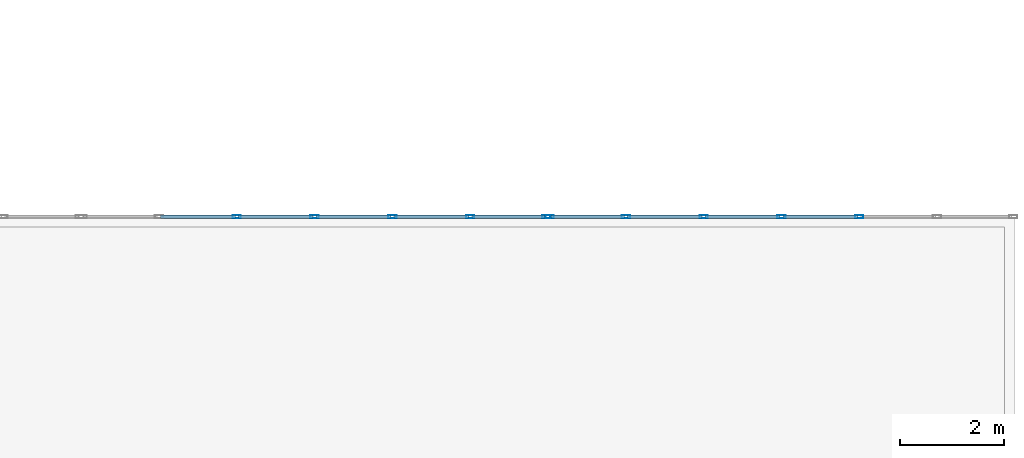
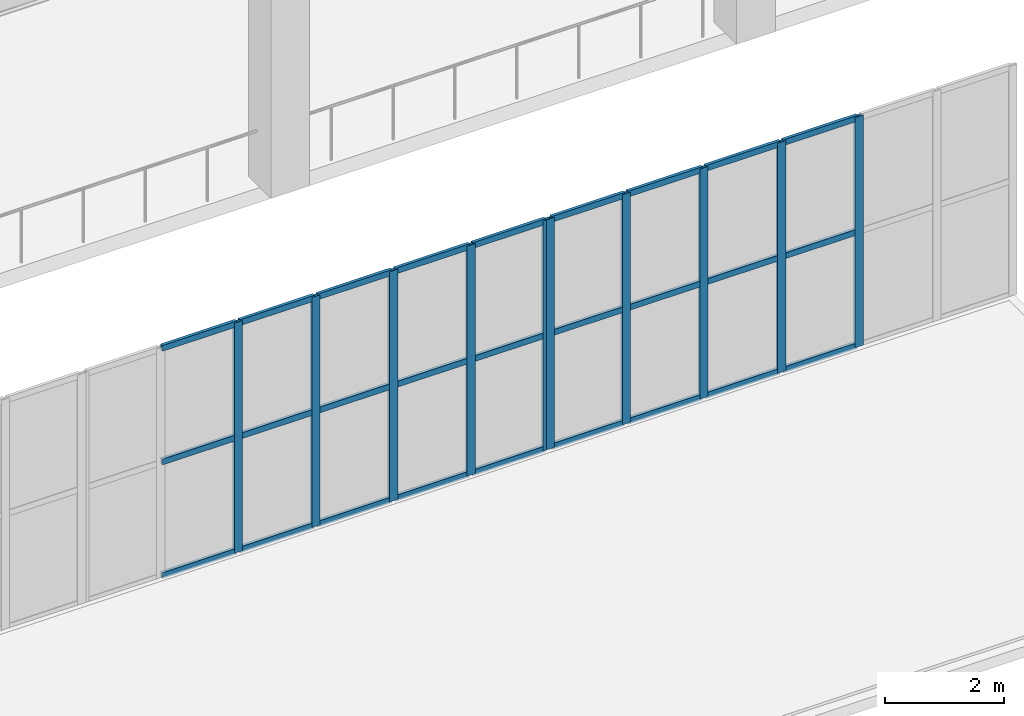
# One storey, part 43 of 223: 37 members, 2 elements without a shape of their own.
"""IFC4 building model written with IfcOpenShell, lengths in metres."""

from ifc_helpers import new_model, si_unit, direction, frame, origin, origin_2d, place, context, subcontext, project, spatial, hollow_rectangle, extrude, material, layer, layer_set, material_profile, profile_set, type_object, element, aggregate, save


model = new_model("IFC4")

# Units and contexts
model_context = context("Model", 3, precision=1e-05, world=origin(), true_north=direction((0.0, 1.0)))
body_context = subcontext(model_context, "Body", "Model", "MODEL_VIEW")
ifc_project = project(units=[si_unit("LENGTHUNIT", "METRE"), si_unit("AREAUNIT", "SQUARE_METRE"), si_unit("VOLUMEUNIT", "CUBIC_METRE"), si_unit("PLANEANGLEUNIT", "RADIAN"), si_unit("MASSUNIT", "GRAM", prefix="KILO")], contexts=[model_context])

# Site, building, storey
site_placement = place(None, origin())
site = spatial("IfcSite", under=ifc_project, at=site_placement, CompositionType="ELEMENT")
building_placement = place(site_placement, origin())
building = spatial("IfcBuilding", under=site, at=building_placement, Name="Dornveld Trade and Exhibition Forum", CompositionType="ELEMENT")
storey_placement = place(building_placement, frame((0.0, 0.0, 6.0)))
storey = spatial("IfcBuildingStorey", under=building, at=storey_placement, Name="L01", CompositionType="ELEMENT", Elevation=6.0)

# Curtain wall, members
ifc_material_1 = material(Name="Dark-bronze anodised aluminium and low-E glass", Category="aluminium")
ifc_layer_1 = layer(ifc_material_1, 0.172119140625)
ifc_layer_set_1 = layer_set([ifc_layer_1], Name="Dark-bronze anodised aluminium and low-E glass")
curtain_wall_type_1 = type_object("IfcCurtainWallType", Name="CW-SYS-10", PredefinedType="USERDEFINED", material=ifc_layer_set_1)
curtain_wall_1_placement = place(storey_placement, origin())
curtain_wall_1 = element("IfcCurtainWall", 1, at=curtain_wall_1_placement, inside=storey, type_object=curtain_wall_type_1, Name="L01 unitised curtain wall 46", ObjectType="UNITISED_CURTAIN_WALL", PredefinedType="USERDEFINED")
ifc_material_2 = material(Name="Dark-bronze anodised aluminium", Category="aluminium")
ifc_material_profile_1 = material_profile(ifc_material_2, hollow_rectangle(XDim=0.06005859375, YDim=0.159912109375, WallThickness=0.00390625, at=origin_2d()), Name="RHS 160x60x4")
ifc_profile_set_1 = profile_set([ifc_material_profile_1], Name="Dark-bronze anodised aluminium")
member_type_1 = type_object("IfcMemberType", Name="CW-MUL-160", PredefinedType="MULLION", material=ifc_profile_set_1)
member_1_placement = place(storey_placement, frame((129.0, 18.0, -0.00390625), z_axis=(0.0, 0.0, 1.0), x_axis=(0.0, 1.0, 0.0)))
member_1 = element("IfcMember", 2, at=member_1_placement, type_object=member_type_1, Name="CW-10 mullion 3", PredefinedType="MULLION", context=body_context, shape_type="SweptSolid", body=[
    extrude(hollow_rectangle(XDim=0.06005859375, YDim=0.159912109375, WallThickness=0.00390625, at=origin_2d()), origin(), (0.0, 0.0, 1.0), 4.703857421875),
])
member_2_placement = place(storey_placement, frame((130.5, 18.0, -0.00390625), z_axis=(0.0, 0.0, 1.0), x_axis=(0.0, 1.0, 0.0)))
member_2 = element("IfcMember", 3, at=member_2_placement, type_object=member_type_1, Name="CW-10 mullion 4", PredefinedType="MULLION", context=body_context, shape_type="SweptSolid", body=[
    extrude(hollow_rectangle(XDim=0.06005859375, YDim=0.159912109375, WallThickness=0.00390625, at=origin_2d()), origin(), (0.0, 0.0, 1.0), 4.703857421875),
])
member_3_placement = place(storey_placement, frame((132.0, 18.0, -0.00390625), z_axis=(0.0, 0.0, 1.0), x_axis=(0.0, 1.0, 0.0)))
member_3 = element("IfcMember", 4, at=member_3_placement, type_object=member_type_1, Name="CW-10 mullion 5", PredefinedType="MULLION", context=body_context, shape_type="SweptSolid", body=[
    extrude(hollow_rectangle(XDim=0.06005859375, YDim=0.159912109375, WallThickness=0.00390625, at=origin_2d()), origin(), (0.0, 0.0, 1.0), 4.703857421875),
])
member_4_placement = place(storey_placement, frame((133.5, 18.0, -0.00390625), z_axis=(0.0, 0.0, 1.0), x_axis=(0.0, 1.0, 0.0)))
member_4 = element("IfcMember", 5, at=member_4_placement, type_object=member_type_1, Name="CW-10 mullion 6", PredefinedType="MULLION", context=body_context, shape_type="SweptSolid", body=[
    extrude(hollow_rectangle(XDim=0.06005859375, YDim=0.159912109375, WallThickness=0.00390625, at=origin_2d()), origin(), (0.0, 0.0, 1.0), 4.703857421875),
])
member_5_placement = place(storey_placement, frame((134.969970703125, 18.0, -0.00390625), z_axis=(0.0, 0.0, 1.0), x_axis=(0.0, 1.0, 0.0)))
member_5 = element("IfcMember", 6, at=member_5_placement, type_object=member_type_1, Name="CW-10 mullion 7", PredefinedType="MULLION", context=body_context, shape_type="SweptSolid", body=[
    extrude(hollow_rectangle(XDim=0.06005859375, YDim=0.159912109375, WallThickness=0.00390625, at=origin_2d()), origin(), (0.0, 0.0, 1.0), 4.703857421875),
])

ifc_material_3 = material(Name="Dark-bronze anodised aluminium and low-E glass", Category="aluminium")
ifc_layer_2 = layer(ifc_material_3, 0.175048828125)
ifc_layer_set_2 = layer_set([ifc_layer_2], Name="Dark-bronze anodised aluminium and low-E glass")
curtain_wall_type_2 = type_object("IfcCurtainWallType", Name="CW-SYS-11", PredefinedType="USERDEFINED", material=ifc_layer_set_2)
curtain_wall_2_placement = place(storey_placement, origin())
curtain_wall_2 = element("IfcCurtainWall", 7, at=curtain_wall_2_placement, inside=storey, type_object=curtain_wall_type_2, Name="L01 unitised curtain wall 47", ObjectType="UNITISED_CURTAIN_WALL", PredefinedType="USERDEFINED")
member_6_placement = place(storey_placement, frame((135.030029296875, 18.0, -0.00390625), z_axis=(0.0, 0.0, 1.0), x_axis=(0.0, 1.0, 0.0)))
member_6 = element("IfcMember", 8, at=member_6_placement, type_object=member_type_1, Name="CW-11 mullion 1", PredefinedType="MULLION", context=body_context, shape_type="SweptSolid", body=[
    extrude(hollow_rectangle(XDim=0.06005859375, YDim=0.159912109375, WallThickness=0.00390625, at=origin_2d()), origin(), (0.0, 0.0, 1.0), 4.703857421875),
])
member_7_placement = place(storey_placement, frame((136.5, 18.0, -0.00390625), z_axis=(0.0, 0.0, 1.0), x_axis=(0.0, 1.0, 0.0)))
member_7 = element("IfcMember", 9, at=member_7_placement, type_object=member_type_1, Name="CW-11 mullion 2", PredefinedType="MULLION", context=body_context, shape_type="SweptSolid", body=[
    extrude(hollow_rectangle(XDim=0.06005859375, YDim=0.159912109375, WallThickness=0.00390625, at=origin_2d()), origin(), (0.0, 0.0, 1.0), 4.703857421875),
])
member_8_placement = place(storey_placement, frame((138.0, 18.0, -0.00390625), z_axis=(0.0, 0.0, 1.0), x_axis=(0.0, 1.0, 0.0)))
member_8 = element("IfcMember", 10, at=member_8_placement, type_object=member_type_1, Name="CW-11 mullion 3", PredefinedType="MULLION", context=body_context, shape_type="SweptSolid", body=[
    extrude(hollow_rectangle(XDim=0.06005859375, YDim=0.159912109375, WallThickness=0.00390625, at=origin_2d()), origin(), (0.0, 0.0, 1.0), 4.703857421875),
])
member_9_placement = place(storey_placement, frame((139.5, 18.0, -0.00390625), z_axis=(0.0, 0.0, 1.0), x_axis=(0.0, 1.0, 0.0)))
member_9 = element("IfcMember", 11, at=member_9_placement, type_object=member_type_1, Name="CW-11 mullion 4", PredefinedType="MULLION", context=body_context, shape_type="SweptSolid", body=[
    extrude(hollow_rectangle(XDim=0.06005859375, YDim=0.159912109375, WallThickness=0.00390625, at=origin_2d()), origin(), (0.0, 0.0, 1.0), 4.703857421875),
])
member_10_placement = place(storey_placement, frame((141.0, 18.0, -0.00390625), z_axis=(0.0, 0.0, 1.0), x_axis=(0.0, 1.0, 0.0)))
member_10 = element("IfcMember", 12, at=member_10_placement, type_object=member_type_1, Name="CW-11 mullion 5", PredefinedType="MULLION", context=body_context, shape_type="SweptSolid", body=[
    extrude(hollow_rectangle(XDim=0.06005859375, YDim=0.159912109375, WallThickness=0.00390625, at=origin_2d()), origin(), (0.0, 0.0, 1.0), 4.703857421875),
])

# Member
ifc_material_4 = material(Name="Dark-bronze anodised aluminium", Category="aluminium")
ifc_material_profile_2 = material_profile(ifc_material_4, hollow_rectangle(XDim=0.06005859375, YDim=0.1201171875, WallThickness=0.00390625, at=origin_2d()), Name="RHS 120x60x4")
ifc_profile_set_2 = profile_set([ifc_material_profile_2], Name="Dark-bronze anodised aluminium")
member_type_2 = type_object("IfcMemberType", Name="CW-TRN-120", PredefinedType="USERDEFINED", material=ifc_profile_set_2)
member_11_placement = place(storey_placement, frame((127.530029296875, 18.0, 0.02587890625), z_axis=(1.0, 0.0, 0.0), x_axis=(0.0, 1.0, 0.0)))
member_11 = element("IfcMember", 13, at=member_11_placement, type_object=member_type_2, Name="CW-10 transom 2.1", ObjectType="TRANSOM", PredefinedType="USERDEFINED", context=body_context, shape_type="SweptSolid", body=[
    extrude(hollow_rectangle(XDim=0.06005859375, YDim=0.1201171875, WallThickness=0.00390625, at=origin_2d()), origin(), (0.0, 0.0, 1.0), 1.43994140625),
])

member_12_placement = place(storey_placement, frame((127.530029296875, 18.0, 2.347900390625), z_axis=(1.0, 0.0, 0.0), x_axis=(0.0, 1.0, 0.0)))
member_12 = element("IfcMember", 14, at=member_12_placement, type_object=member_type_2, Name="CW-10 transom 2.2", ObjectType="TRANSOM", PredefinedType="USERDEFINED", context=body_context, shape_type="SweptSolid", body=[
    extrude(hollow_rectangle(XDim=0.06005859375, YDim=0.1201171875, WallThickness=0.00390625, at=origin_2d()), origin(), (0.0, 0.0, 1.0), 1.43994140625),
])

member_13_placement = place(storey_placement, frame((127.530029296875, 18.0, 4.669921875), z_axis=(1.0, 0.0, 0.0), x_axis=(0.0, 1.0, 0.0)))
member_13 = element("IfcMember", 15, at=member_13_placement, type_object=member_type_2, Name="CW-10 transom 2.3", ObjectType="TRANSOM", PredefinedType="USERDEFINED", context=body_context, shape_type="SweptSolid", body=[
    extrude(hollow_rectangle(XDim=0.06005859375, YDim=0.1201171875, WallThickness=0.00390625, at=origin_2d()), origin(), (0.0, 0.0, 1.0), 1.43994140625),
])

member_14_placement = place(storey_placement, frame((129.030029296875, 18.0, 0.02587890625), z_axis=(1.0, 0.0, 0.0), x_axis=(0.0, 1.0, 0.0)))
member_14 = element("IfcMember", 16, at=member_14_placement, type_object=member_type_2, Name="CW-10 transom 3.1", ObjectType="TRANSOM", PredefinedType="USERDEFINED", context=body_context, shape_type="SweptSolid", body=[
    extrude(hollow_rectangle(XDim=0.06005859375, YDim=0.1201171875, WallThickness=0.00390625, at=origin_2d()), origin(), (0.0, 0.0, 1.0), 1.43994140625),
])

member_15_placement = place(storey_placement, frame((129.030029296875, 18.0, 2.347900390625), z_axis=(1.0, 0.0, 0.0), x_axis=(0.0, 1.0, 0.0)))
member_15 = element("IfcMember", 17, at=member_15_placement, type_object=member_type_2, Name="CW-10 transom 3.2", ObjectType="TRANSOM", PredefinedType="USERDEFINED", context=body_context, shape_type="SweptSolid", body=[
    extrude(hollow_rectangle(XDim=0.06005859375, YDim=0.1201171875, WallThickness=0.00390625, at=origin_2d()), origin(), (0.0, 0.0, 1.0), 1.43994140625),
])

member_16_placement = place(storey_placement, frame((129.030029296875, 18.0, 4.669921875), z_axis=(1.0, 0.0, 0.0), x_axis=(0.0, 1.0, 0.0)))
member_16 = element("IfcMember", 18, at=member_16_placement, type_object=member_type_2, Name="CW-10 transom 3.3", ObjectType="TRANSOM", PredefinedType="USERDEFINED", context=body_context, shape_type="SweptSolid", body=[
    extrude(hollow_rectangle(XDim=0.06005859375, YDim=0.1201171875, WallThickness=0.00390625, at=origin_2d()), origin(), (0.0, 0.0, 1.0), 1.43994140625),
])

member_17_placement = place(storey_placement, frame((130.530029296875, 18.0, 0.02587890625), z_axis=(1.0, 0.0, 0.0), x_axis=(0.0, 1.0, 0.0)))
member_17 = element("IfcMember", 19, at=member_17_placement, type_object=member_type_2, Name="CW-10 transom 4.1", ObjectType="TRANSOM", PredefinedType="USERDEFINED", context=body_context, shape_type="SweptSolid", body=[
    extrude(hollow_rectangle(XDim=0.06005859375, YDim=0.1201171875, WallThickness=0.00390625, at=origin_2d()), origin(), (0.0, 0.0, 1.0), 1.43994140625),
])

member_18_placement = place(storey_placement, frame((130.530029296875, 18.0, 2.347900390625), z_axis=(1.0, 0.0, 0.0), x_axis=(0.0, 1.0, 0.0)))
member_18 = element("IfcMember", 20, at=member_18_placement, type_object=member_type_2, Name="CW-10 transom 4.2", ObjectType="TRANSOM", PredefinedType="USERDEFINED", context=body_context, shape_type="SweptSolid", body=[
    extrude(hollow_rectangle(XDim=0.06005859375, YDim=0.1201171875, WallThickness=0.00390625, at=origin_2d()), origin(), (0.0, 0.0, 1.0), 1.43994140625),
])

member_19_placement = place(storey_placement, frame((130.530029296875, 18.0, 4.669921875), z_axis=(1.0, 0.0, 0.0), x_axis=(0.0, 1.0, 0.0)))
member_19 = element("IfcMember", 21, at=member_19_placement, type_object=member_type_2, Name="CW-10 transom 4.3", ObjectType="TRANSOM", PredefinedType="USERDEFINED", context=body_context, shape_type="SweptSolid", body=[
    extrude(hollow_rectangle(XDim=0.06005859375, YDim=0.1201171875, WallThickness=0.00390625, at=origin_2d()), origin(), (0.0, 0.0, 1.0), 1.43994140625),
])

member_20_placement = place(storey_placement, frame((132.030029296875, 18.0, 0.02587890625), z_axis=(1.0, 0.0, 0.0), x_axis=(0.0, 1.0, 0.0)))
member_20 = element("IfcMember", 22, at=member_20_placement, type_object=member_type_2, Name="CW-10 transom 5.1", ObjectType="TRANSOM", PredefinedType="USERDEFINED", context=body_context, shape_type="SweptSolid", body=[
    extrude(hollow_rectangle(XDim=0.06005859375, YDim=0.1201171875, WallThickness=0.00390625, at=origin_2d()), origin(), (0.0, 0.0, 1.0), 1.43994140625),
])

member_21_placement = place(storey_placement, frame((132.030029296875, 18.0, 2.347900390625), z_axis=(1.0, 0.0, 0.0), x_axis=(0.0, 1.0, 0.0)))
member_21 = element("IfcMember", 23, at=member_21_placement, type_object=member_type_2, Name="CW-10 transom 5.2", ObjectType="TRANSOM", PredefinedType="USERDEFINED", context=body_context, shape_type="SweptSolid", body=[
    extrude(hollow_rectangle(XDim=0.06005859375, YDim=0.1201171875, WallThickness=0.00390625, at=origin_2d()), origin(), (0.0, 0.0, 1.0), 1.43994140625),
])

member_22_placement = place(storey_placement, frame((132.030029296875, 18.0, 4.669921875), z_axis=(1.0, 0.0, 0.0), x_axis=(0.0, 1.0, 0.0)))
member_22 = element("IfcMember", 24, at=member_22_placement, type_object=member_type_2, Name="CW-10 transom 5.3", ObjectType="TRANSOM", PredefinedType="USERDEFINED", context=body_context, shape_type="SweptSolid", body=[
    extrude(hollow_rectangle(XDim=0.06005859375, YDim=0.1201171875, WallThickness=0.00390625, at=origin_2d()), origin(), (0.0, 0.0, 1.0), 1.43994140625),
])

member_23_placement = place(storey_placement, frame((133.530029296875, 18.0, 0.02587890625), z_axis=(1.0, 0.0, 0.0), x_axis=(0.0, 1.0, 0.0)))
member_23 = element("IfcMember", 25, at=member_23_placement, type_object=member_type_2, Name="CW-10 transom 6.1", ObjectType="TRANSOM", PredefinedType="USERDEFINED", context=body_context, shape_type="SweptSolid", body=[
    extrude(hollow_rectangle(XDim=0.06005859375, YDim=0.1201171875, WallThickness=0.00390625, at=origin_2d()), origin(), (0.0, 0.0, 1.0), 1.409912109375),
])

member_24_placement = place(storey_placement, frame((133.530029296875, 18.0, 2.347900390625), z_axis=(1.0, 0.0, 0.0), x_axis=(0.0, 1.0, 0.0)))
member_24 = element("IfcMember", 26, at=member_24_placement, type_object=member_type_2, Name="CW-10 transom 6.2", ObjectType="TRANSOM", PredefinedType="USERDEFINED", context=body_context, shape_type="SweptSolid", body=[
    extrude(hollow_rectangle(XDim=0.06005859375, YDim=0.1201171875, WallThickness=0.00390625, at=origin_2d()), origin(), (0.0, 0.0, 1.0), 1.409912109375),
])

member_25_placement = place(storey_placement, frame((133.530029296875, 18.0, 4.669921875), z_axis=(1.0, 0.0, 0.0), x_axis=(0.0, 1.0, 0.0)))
member_25 = element("IfcMember", 27, at=member_25_placement, type_object=member_type_2, Name="CW-10 transom 6.3", ObjectType="TRANSOM", PredefinedType="USERDEFINED", context=body_context, shape_type="SweptSolid", body=[
    extrude(hollow_rectangle(XDim=0.06005859375, YDim=0.1201171875, WallThickness=0.00390625, at=origin_2d()), origin(), (0.0, 0.0, 1.0), 1.409912109375),
])

aggregate(curtain_wall_1, [member_1, member_2, member_3, member_4, member_5, member_11, member_12, member_13, member_14, member_15, member_16, member_17, member_18, member_19, member_20, member_21, member_22, member_23, member_24, member_25])

member_26_placement = place(storey_placement, frame((135.06005859375, 18.0, 0.02587890625), z_axis=(1.0, 0.0, 0.0), x_axis=(0.0, 1.0, 0.0)))
member_26 = element("IfcMember", 28, at=member_26_placement, type_object=member_type_2, Name="CW-11 transom 1.1", ObjectType="TRANSOM", PredefinedType="USERDEFINED", context=body_context, shape_type="SweptSolid", body=[
    extrude(hollow_rectangle(XDim=0.06005859375, YDim=0.1201171875, WallThickness=0.00390625, at=origin_2d()), origin(), (0.0, 0.0, 1.0), 1.409912109375),
])

member_27_placement = place(storey_placement, frame((135.06005859375, 18.0, 2.347900390625), z_axis=(1.0, 0.0, 0.0), x_axis=(0.0, 1.0, 0.0)))
member_27 = element("IfcMember", 29, at=member_27_placement, type_object=member_type_2, Name="CW-11 transom 1.2", ObjectType="TRANSOM", PredefinedType="USERDEFINED", context=body_context, shape_type="SweptSolid", body=[
    extrude(hollow_rectangle(XDim=0.06005859375, YDim=0.1201171875, WallThickness=0.00390625, at=origin_2d()), origin(), (0.0, 0.0, 1.0), 1.409912109375),
])

member_28_placement = place(storey_placement, frame((135.06005859375, 18.0, 4.669921875), z_axis=(1.0, 0.0, 0.0), x_axis=(0.0, 1.0, 0.0)))
member_28 = element("IfcMember", 30, at=member_28_placement, type_object=member_type_2, Name="CW-11 transom 1.3", ObjectType="TRANSOM", PredefinedType="USERDEFINED", context=body_context, shape_type="SweptSolid", body=[
    extrude(hollow_rectangle(XDim=0.06005859375, YDim=0.1201171875, WallThickness=0.00390625, at=origin_2d()), origin(), (0.0, 0.0, 1.0), 1.409912109375),
])

member_29_placement = place(storey_placement, frame((136.530029296875, 18.0, 0.02587890625), z_axis=(1.0, 0.0, 0.0), x_axis=(0.0, 1.0, 0.0)))
member_29 = element("IfcMember", 31, at=member_29_placement, type_object=member_type_2, Name="CW-11 transom 2.1", ObjectType="TRANSOM", PredefinedType="USERDEFINED", context=body_context, shape_type="SweptSolid", body=[
    extrude(hollow_rectangle(XDim=0.06005859375, YDim=0.1201171875, WallThickness=0.00390625, at=origin_2d()), origin(), (0.0, 0.0, 1.0), 1.43994140625),
])

member_30_placement = place(storey_placement, frame((136.530029296875, 18.0, 2.347900390625), z_axis=(1.0, 0.0, 0.0), x_axis=(0.0, 1.0, 0.0)))
member_30 = element("IfcMember", 32, at=member_30_placement, type_object=member_type_2, Name="CW-11 transom 2.2", ObjectType="TRANSOM", PredefinedType="USERDEFINED", context=body_context, shape_type="SweptSolid", body=[
    extrude(hollow_rectangle(XDim=0.06005859375, YDim=0.1201171875, WallThickness=0.00390625, at=origin_2d()), origin(), (0.0, 0.0, 1.0), 1.43994140625),
])

member_31_placement = place(storey_placement, frame((136.530029296875, 18.0, 4.669921875), z_axis=(1.0, 0.0, 0.0), x_axis=(0.0, 1.0, 0.0)))
member_31 = element("IfcMember", 33, at=member_31_placement, type_object=member_type_2, Name="CW-11 transom 2.3", ObjectType="TRANSOM", PredefinedType="USERDEFINED", context=body_context, shape_type="SweptSolid", body=[
    extrude(hollow_rectangle(XDim=0.06005859375, YDim=0.1201171875, WallThickness=0.00390625, at=origin_2d()), origin(), (0.0, 0.0, 1.0), 1.43994140625),
])

member_32_placement = place(storey_placement, frame((138.030029296875, 18.0, 0.02587890625), z_axis=(1.0, 0.0, 0.0), x_axis=(0.0, 1.0, 0.0)))
member_32 = element("IfcMember", 34, at=member_32_placement, type_object=member_type_2, Name="CW-11 transom 3.1", ObjectType="TRANSOM", PredefinedType="USERDEFINED", context=body_context, shape_type="SweptSolid", body=[
    extrude(hollow_rectangle(XDim=0.06005859375, YDim=0.1201171875, WallThickness=0.00390625, at=origin_2d()), origin(), (0.0, 0.0, 1.0), 1.43994140625),
])

member_33_placement = place(storey_placement, frame((138.030029296875, 18.0, 2.347900390625), z_axis=(1.0, 0.0, 0.0), x_axis=(0.0, 1.0, 0.0)))
member_33 = element("IfcMember", 35, at=member_33_placement, type_object=member_type_2, Name="CW-11 transom 3.2", ObjectType="TRANSOM", PredefinedType="USERDEFINED", context=body_context, shape_type="SweptSolid", body=[
    extrude(hollow_rectangle(XDim=0.06005859375, YDim=0.1201171875, WallThickness=0.00390625, at=origin_2d()), origin(), (0.0, 0.0, 1.0), 1.43994140625),
])

member_34_placement = place(storey_placement, frame((138.030029296875, 18.0, 4.669921875), z_axis=(1.0, 0.0, 0.0), x_axis=(0.0, 1.0, 0.0)))
member_34 = element("IfcMember", 36, at=member_34_placement, type_object=member_type_2, Name="CW-11 transom 3.3", ObjectType="TRANSOM", PredefinedType="USERDEFINED", context=body_context, shape_type="SweptSolid", body=[
    extrude(hollow_rectangle(XDim=0.06005859375, YDim=0.1201171875, WallThickness=0.00390625, at=origin_2d()), origin(), (0.0, 0.0, 1.0), 1.43994140625),
])

member_35_placement = place(storey_placement, frame((139.530029296875, 18.0, 0.02587890625), z_axis=(1.0, 0.0, 0.0), x_axis=(0.0, 1.0, 0.0)))
member_35 = element("IfcMember", 37, at=member_35_placement, type_object=member_type_2, Name="CW-11 transom 4.1", ObjectType="TRANSOM", PredefinedType="USERDEFINED", context=body_context, shape_type="SweptSolid", body=[
    extrude(hollow_rectangle(XDim=0.06005859375, YDim=0.1201171875, WallThickness=0.00390625, at=origin_2d()), origin(), (0.0, 0.0, 1.0), 1.43994140625),
])

member_36_placement = place(storey_placement, frame((139.530029296875, 18.0, 2.347900390625), z_axis=(1.0, 0.0, 0.0), x_axis=(0.0, 1.0, 0.0)))
member_36 = element("IfcMember", 38, at=member_36_placement, type_object=member_type_2, Name="CW-11 transom 4.2", ObjectType="TRANSOM", PredefinedType="USERDEFINED", context=body_context, shape_type="SweptSolid", body=[
    extrude(hollow_rectangle(XDim=0.06005859375, YDim=0.1201171875, WallThickness=0.00390625, at=origin_2d()), origin(), (0.0, 0.0, 1.0), 1.43994140625),
])

member_37_placement = place(storey_placement, frame((139.530029296875, 18.0, 4.669921875), z_axis=(1.0, 0.0, 0.0), x_axis=(0.0, 1.0, 0.0)))
member_37 = element("IfcMember", 39, at=member_37_placement, type_object=member_type_2, Name="CW-11 transom 4.3", ObjectType="TRANSOM", PredefinedType="USERDEFINED", context=body_context, shape_type="SweptSolid", body=[
    extrude(hollow_rectangle(XDim=0.06005859375, YDim=0.1201171875, WallThickness=0.00390625, at=origin_2d()), origin(), (0.0, 0.0, 1.0), 1.43994140625),
])

aggregate(curtain_wall_2, [member_6, member_7, member_8, member_9, member_10, member_26, member_27, member_28, member_29, member_30, member_31, member_32, member_33, member_34, member_35, member_36, member_37])

save(model, "model.ifc")
